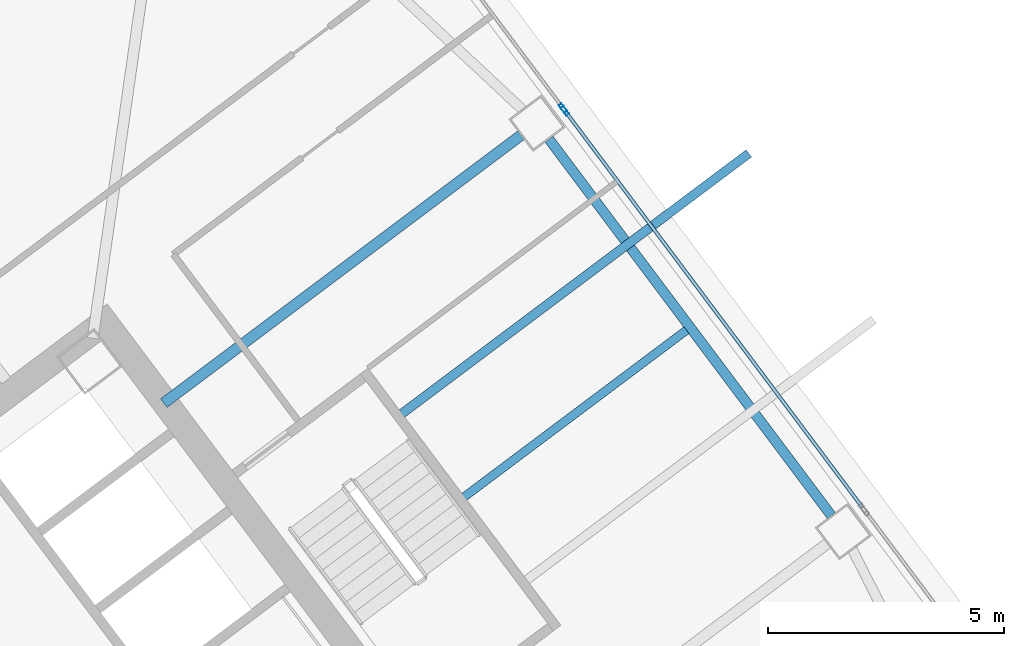
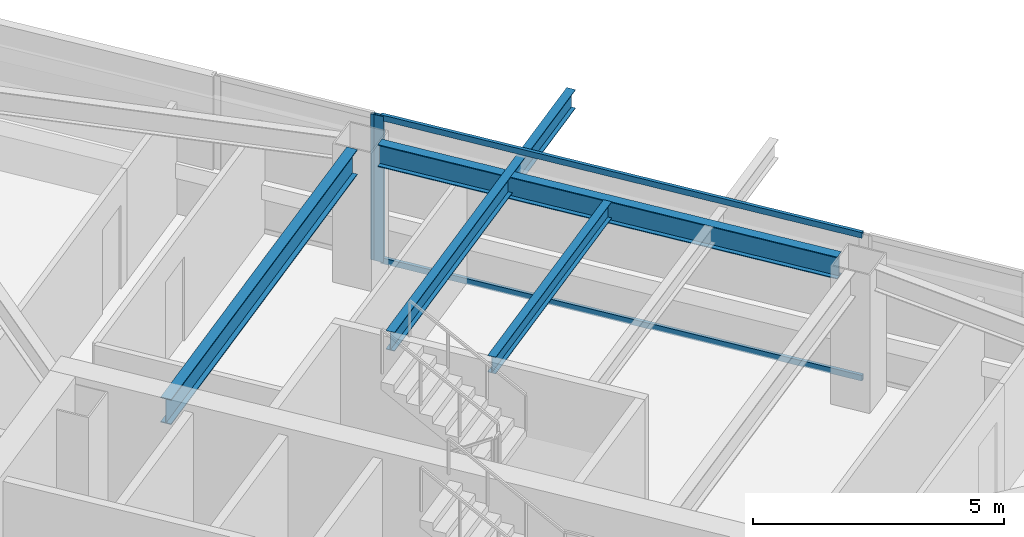
# One storey, part 27 of 40: 4 beams, 4 members, 2 elements without a shape of their own.
"""IFC4 building model written with IfcOpenShell, lengths in metres."""

from ifc_helpers import new_model, si_unit, direction, frame, origin, origin_2d, place, context, subcontext, project, spatial, hollow_rectangle, i_section, extrude, material, material_profile, profile_set, type_object, element, aggregate, save


model = new_model("IFC4")

# Units and contexts
model_context = context("Model", 3, precision=1e-05, world=origin(), true_north=direction((0.0, 1.0)))
body_context = subcontext(model_context, "Body", "Model", "MODEL_VIEW")
ifc_project = project(units=[si_unit("LENGTHUNIT", "METRE"), si_unit("AREAUNIT", "SQUARE_METRE"), si_unit("VOLUMEUNIT", "CUBIC_METRE"), si_unit("PLANEANGLEUNIT", "RADIAN"), si_unit("MASSUNIT", "GRAM", prefix="KILO")], contexts=[model_context])

# Site, building, storey
site_placement = place(None, origin())
site = spatial("IfcSite", under=ifc_project, at=site_placement, CompositionType="ELEMENT")
building_placement = place(site_placement, origin())
building = spatial("IfcBuilding", under=site, at=building_placement, Name="Tashvorn Skyway Center", CompositionType="ELEMENT")
storey_placement = place(building_placement, frame((0.0, 0.0, 142.800048828125)))
storey = spatial("IfcBuildingStorey", under=building, at=storey_placement, Name="L38", CompositionType="ELEMENT", Elevation=142.800048828125)

# Beams
ifc_material_1 = material(Name="Steel ASTM A992 Grade 50", Category="steel")
ifc_material_profile_1 = material_profile(ifc_material_1, i_section(OverallWidth=0.22998046875, OverallDepth=0.616943359375, WebThickness=0.01318359375, FlangeThickness=0.022216796875, at=origin_2d()), Name="W24X94")
ifc_profile_set_1 = profile_set([ifc_material_profile_1], Name="Steel ASTM A992 Grade 50")
beam_type_1 = type_object("IfcBeamType", Name="BM-BEAM-W24X94", PredefinedType="BEAM", material=ifc_profile_set_1)
beam_1_placement = place(storey_placement, frame((124.5439453125, 46.657958984375, 3.0615234375), z_axis=(-0.800006200354, -0.599991732772, 0.0), x_axis=(0.599991732772, -0.800006200354, 0.0)))
element("IfcBeam", 1, at=beam_1_placement, inside=storey, type_object=beam_type_1, Name="Tower 2 L38 Primary Floor Girder FC-E2", PredefinedType="BEAM", context=body_context, shape_type="SweptSolid", body=[
    extrude(i_section(OverallWidth=0.22998046875, OverallDepth=0.616943359375, WebThickness=0.01318359375, FlangeThickness=0.022216796875, at=origin_2d()), origin(), (0.0, 0.0, 1.0), 9.449951171875),
])
ifc_material_profile_2 = material_profile(ifc_material_1, i_section(OverallWidth=0.177978515625, OverallDepth=0.406005859375, WebThickness=0.0078125, FlangeThickness=0.0126953125, at=origin_2d()), Name="W16X40")
ifc_profile_set_2 = profile_set([ifc_material_profile_2], Name="Steel ASTM A992 Grade 50")
beam_type_2 = type_object("IfcBeamType", Name="BM-JOIST-W16X40", PredefinedType="JOIST", material=ifc_profile_set_2)
beam_2_placement = place(storey_placement, frame((123.3359375, 39.001953125, 3.1669921875), z_axis=(0.8, 0.6, 0.0), x_axis=(-0.6, 0.8, 0.0)))
element("IfcBeam", 2, at=beam_2_placement, inside=storey, type_object=beam_type_2, Name="Tower 2 L38 Secondary Composite Joist JE", PredefinedType="JOIST", context=body_context, shape_type="SweptSolid", body=[
    extrude(i_section(OverallWidth=0.177978515625, OverallDepth=0.406005859375, WebThickness=0.0078125, FlangeThickness=0.0126953125, at=origin_2d()), origin(), (0.0, 0.0, 1.0), 5.882568359375),
])
ifc_material_profile_3 = material_profile(ifc_material_1, i_section(OverallWidth=0.19091796875, OverallDepth=0.4599609375, WebThickness=0.010009765625, FlangeThickness=0.01611328125, at=origin_2d()), Name="W18X55")
ifc_profile_set_3 = profile_set([ifc_material_profile_3], Name="Steel ASTM A992 Grade 50")
beam_type_3 = type_object("IfcBeamType", Name="BM-JOIST-W18X55", PredefinedType="JOIST", material=ifc_profile_set_3)
beam_3_placement = place(storey_placement, frame((122.01611328125, 40.761962890625, 3.139892578125), z_axis=(0.799996808618, 0.600004255152, 0.0), x_axis=(-0.600004255152, 0.799996808618, 0.0)))
element("IfcBeam", 3, at=beam_3_placement, inside=storey, type_object=beam_type_3, Name="Tower 2 L39 Terrace Cantilever Outlooker 2", PredefinedType="JOIST", context=body_context, shape_type="SweptSolid", body=[
    extrude(i_section(OverallWidth=0.19091796875, OverallDepth=0.4599609375, WebThickness=0.010009765625, FlangeThickness=0.01611328125, at=origin_2d()), origin(), (0.0, 0.0, 1.0), 9.179931640625),
])
ifc_material_profile_4 = material_profile(ifc_material_1, i_section(OverallWidth=0.2109375, OverallDepth=0.5390625, WebThickness=0.01171875, FlangeThickness=0.018798828125, at=origin_2d()), Name="W21X73")
ifc_profile_set_4 = profile_set([ifc_material_profile_4], Name="Steel ASTM A992 Grade 50")
beam_type_4 = type_object("IfcBeamType", Name="BM-SPANDREL-W21X73", PredefinedType="SPANDREL", material=ifc_profile_set_4)
beam_4_placement = place(storey_placement, frame((131.10791015625, 38.60595703125, 3.100341796875), z_axis=(-0.599988234018, 0.800008824351, 0.0), x_axis=(-0.800008824351, -0.599988234018, 0.0)))
element("IfcBeam", 4, at=beam_4_placement, inside=storey, type_object=beam_type_4, Name="Tower 2 L38 Spandrel Beam 05", PredefinedType="SPANDREL", context=body_context, shape_type="SweptSolid", body=[
    extrude(i_section(OverallWidth=0.2109375, OverallDepth=0.5390625, WebThickness=0.01171875, FlangeThickness=0.018798828125, at=origin_2d()), origin(), (0.0, 0.0, 1.0), 9.9599609375),
])

# Curtain wall, member
ifc_material_2 = material(Name="Thermally broken bronze-anodized aluminium 6063-T6", Category="aluminium")
curtain_wall_type = type_object("IfcCurtainWallType", Name="CW-CW-Z3", PredefinedType="NOTDEFINED", material=ifc_material_2)
curtain_wall_1_placement = place(storey_placement, origin())
curtain_wall_1 = element("IfcCurtainWall", 5, at=curtain_wall_1_placement, inside=storey, type_object=curtain_wall_type, Name="Tower 2 L38 East Unitised Curtain Wall Glazing Group 1", PredefinedType="NOTDEFINED")
ifc_material_profile_5 = material_profile(ifc_material_2, hollow_rectangle(XDim=0.074951171875, YDim=0.199951171875, WallThickness=0.00439453125, at=origin_2d()), Name="ALU-MULL-75x200")
ifc_profile_set_5 = profile_set([ifc_material_profile_5], Name="Thermally broken bronze-anodized aluminium 6063-T6")
member_type_1 = type_object("IfcMemberType", Name="CWM-CW-Z3", PredefinedType="MULLION", material=ifc_profile_set_5)
member_1_placement = place(storey_placement, frame((125.425537109375, 47.232666015625, 0.0), z_axis=(0.0, 0.0, 1.0), x_axis=(0.800003400519, 0.599995465948, 0.0)))
member_1 = element("IfcMember", 6, at=member_1_placement, type_object=member_type_1, Name="CW-Z3 mullion 2", PredefinedType="MULLION", context=body_context, shape_type="SweptSolid", body=[
    extrude(hollow_rectangle(XDim=0.074951171875, YDim=0.199951171875, WallThickness=0.00439453125, at=origin_2d()), origin(), (0.0, 0.0, 1.0), 3.550048828125),
])
aggregate(curtain_wall_1, [member_1])

# Curtain wall, members
curtain_wall_2_placement = place(storey_placement, origin())
curtain_wall_2 = element("IfcCurtainWall", 7, at=curtain_wall_2_placement, inside=storey, type_object=curtain_wall_type, Name="Tower 2 L38 East Unitised Curtain Wall Glazing Group 2", PredefinedType="NOTDEFINED")
member_2_placement = place(storey_placement, frame((125.470458984375, 47.172607421875, 0.0), z_axis=(0.0, 0.0, 1.0), x_axis=(0.800002266987, 0.599996977339, 0.0)))
member_2 = element("IfcMember", 8, at=member_2_placement, type_object=member_type_1, Name="CW-Z3 mullion 1", PredefinedType="MULLION", context=body_context, shape_type="SweptSolid", body=[
    extrude(hollow_rectangle(XDim=0.074951171875, YDim=0.199951171875, WallThickness=0.00439453125, at=origin_2d()), origin(), (0.0, 0.0, 1.0), 3.550048828125),
])
ifc_material_profile_6 = material_profile(ifc_material_2, hollow_rectangle(XDim=0.074951171875, YDim=0.139892578125, WallThickness=0.004150390625, at=origin_2d()), Name="ALU-TRAN-75x140")
ifc_profile_set_6 = profile_set([ifc_material_profile_6], Name="Thermally broken bronze-anodized aluminium 6063-T6")
member_type_2 = type_object("IfcMemberType", Name="CWT-CW-Z3", PredefinedType="USERDEFINED", material=ifc_profile_set_6)
member_3_placement = place(storey_placement, frame((125.492919921875, 47.142578125, 0.037353515625), z_axis=(0.599996257181, -0.800002807101, 0.0), x_axis=(0.800002807101, 0.599996257181, 0.0)))
member_3 = element("IfcMember", 9, at=member_3_placement, type_object=member_type_2, Name="CW-Z3 transom 1.1", ObjectType="TRANSOM", PredefinedType="USERDEFINED", context=body_context, shape_type="SweptSolid", body=[
    extrude(hollow_rectangle(XDim=0.074951171875, YDim=0.139892578125, WallThickness=0.004150390625, at=origin_2d()), origin(), (0.0, 0.0, 1.0), 10.436767578125),
])
member_4_placement = place(storey_placement, frame((125.492919921875, 47.142578125, 3.512451171875), z_axis=(0.599996257181, -0.800002807101, 0.0), x_axis=(0.800002807101, 0.599996257181, 0.0)))
member_4 = element("IfcMember", 10, at=member_4_placement, type_object=member_type_2, Name="CW-Z3 transom 1.2", ObjectType="TRANSOM", PredefinedType="USERDEFINED", context=body_context, shape_type="SweptSolid", body=[
    extrude(hollow_rectangle(XDim=0.074951171875, YDim=0.139892578125, WallThickness=0.004150390625, at=origin_2d()), origin(), (0.0, 0.0, 1.0), 10.436767578125),
])
aggregate(curtain_wall_2, [member_2, member_3, member_4])

save(model, "model.ifc")
